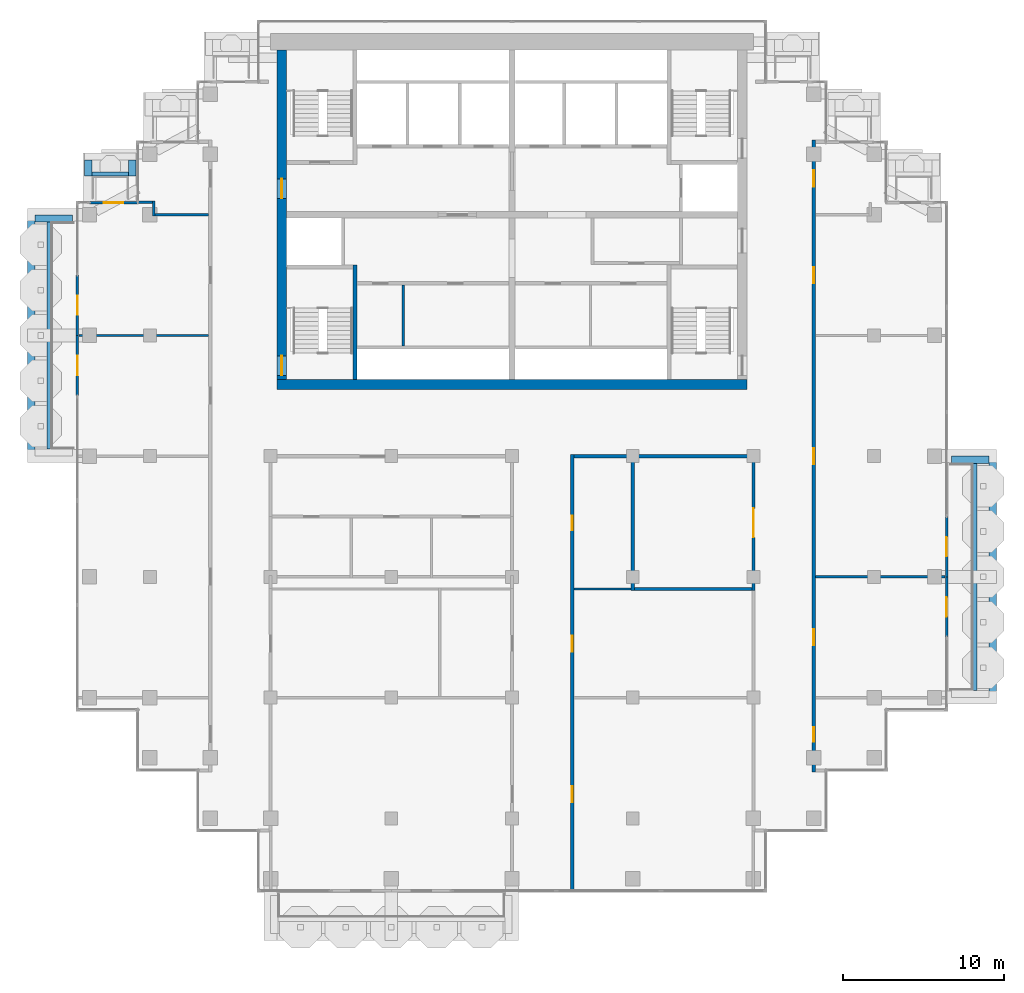
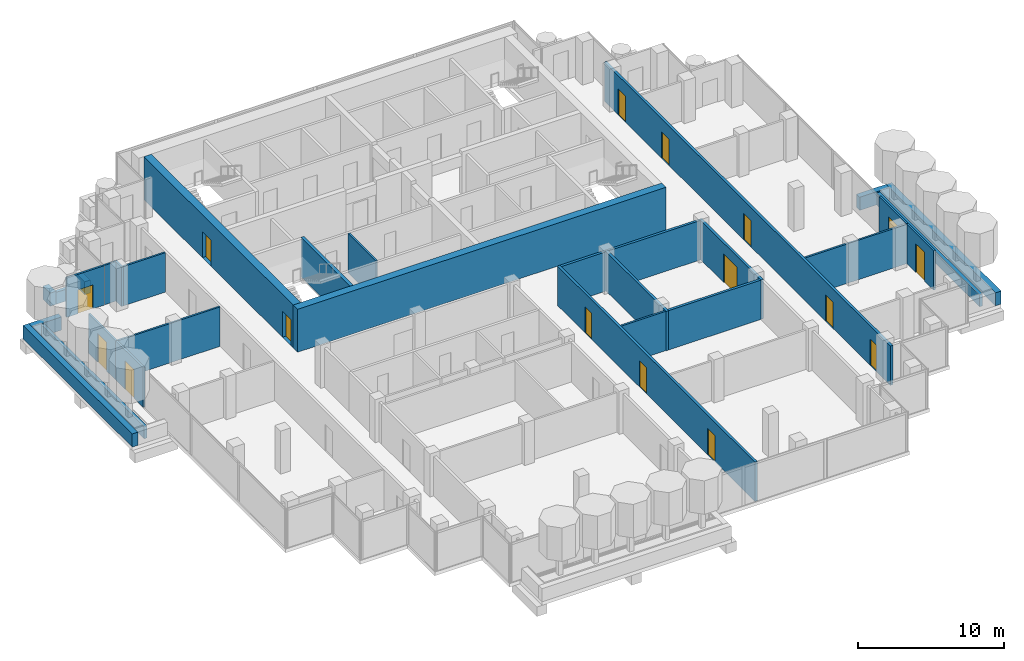
# One storey, part 12 of 18: 31 walls, 16 doors, 16 openings.
"""IFC4 building model written with IfcOpenShell, lengths in metres."""

from ifc_helpers import new_model, si_unit, direction, frame, frame_2d, origin, place, context, subcontext, project, spatial, rectangle, extrude, material, layer, layer_set, type_object, element, fill, save


model = new_model("IFC4")

# Units and contexts
model_context = context("Model", 3, precision=1e-05, world=origin(), true_north=direction((0.0, 1.0)))
body_context = subcontext(model_context, "Body", "Model", "MODEL_VIEW")
ifc_project = project(units=[si_unit("LENGTHUNIT", "METRE"), si_unit("AREAUNIT", "SQUARE_METRE"), si_unit("VOLUMEUNIT", "CUBIC_METRE"), si_unit("PLANEANGLEUNIT", "RADIAN"), si_unit("MASSUNIT", "GRAM", prefix="KILO")], contexts=[model_context])

# Site, building, storey
site_placement = place(None, origin())
site = spatial("IfcSite", under=ifc_project, at=site_placement, CompositionType="ELEMENT")
building_placement = place(site_placement, origin())
building = spatial("IfcBuilding", under=site, at=building_placement, Name="Pilkhan Gate Tower", CompositionType="ELEMENT")
storey_placement = place(building_placement, frame((0.0, 0.0, 235.5)))
storey = spatial("IfcBuildingStorey", under=building, at=storey_placement, Name="L61", CompositionType="ELEMENT", Elevation=235.5)

# Walls
ifc_material_1 = material(Name="Concrete C40/50", Category="concrete")
ifc_layer_1 = layer(ifc_material_1, 0.25)
ifc_layer_set_1 = layer_set([ifc_layer_1], Name="Balcony planter BP250")
wall_type_1 = type_object("IfcWallType", Name="Balcony planter BP250", PredefinedType="USERDEFINED", material=ifc_layer_set_1)
wall_1_placement = place(storey_placement, frame((103.77490234375, 52.949951171875, 0.0), z_axis=(0.0, 0.0, 1.0), x_axis=(0.0, 1.0, 0.0)))
element("IfcWall", 1, at=wall_1_placement, inside=storey, type_object=wall_type_1, Name="Balcony planter L61 E", ObjectType="BALCONY PLANTER", PredefinedType="USERDEFINED", context=body_context, shape_type="SweptSolid", body=[
    extrude(rectangle(XDim=14.10009765625, YDim=0.25, at=frame_2d((7.050048828125, 0.0))), origin(), (0.0, 0.0, 1.0), 1.0),
])
wall_2_placement = place(storey_placement, frame((48.89990234375, 85.02490234375, 0.0), z_axis=(0.0, 0.0, 1.0), x_axis=(1.0, 0.0, 0.0)))
element("IfcWall", 2, at=wall_2_placement, inside=storey, type_object=wall_type_1, Name="Balcony planter L61 N", ObjectType="BALCONY PLANTER", PredefinedType="USERDEFINED", context=body_context, shape_type="SweptSolid", body=[
    extrude(rectangle(XDim=2.280029296875, YDim=0.25, at=frame_2d((1.14013671875, 0.0))), origin(), (0.0, 0.0, 1.0), 1.0),
])
wall_3_placement = place(storey_placement, frame((46.22509765625, 67.949951171875, 0.0), z_axis=(0.0, 0.0, 1.0), x_axis=(0.0, 1.0, 0.0)))
element("IfcWall", 3, at=wall_3_placement, inside=storey, type_object=wall_type_1, Name="Balcony planter L61 W", ObjectType="BALCONY PLANTER", PredefinedType="USERDEFINED", context=body_context, shape_type="SweptSolid", body=[
    extrude(rectangle(XDim=14.10009765625, YDim=0.25, at=frame_2d((7.050048828125, 0.0))), origin(), (0.0, 0.0, 1.0), 1.0),
])
ifc_material_2 = material(Name="Board-marked Concrete C40/50", Category="concrete")
ifc_layer_2 = layer(ifc_material_2, 0.449951171875)
ifc_layer_set_2 = layer_set([ifc_layer_2], Name="Balcony planter lip BL450")
wall_type_2 = type_object("IfcWallType", Name="Balcony planter lip BL450", PredefinedType="USERDEFINED", material=ifc_layer_set_2)
wall_4_placement = place(storey_placement, frame((104.875, 52.5, 0.0), z_axis=(0.0, 0.0, 1.0), x_axis=(0.0, 1.0, 0.0)))
element("IfcWall", 4, at=wall_4_placement, inside=storey, type_object=wall_type_2, Name="Balcony planter L61 E", ObjectType="BALCONY PLANTER", PredefinedType="USERDEFINED", context=body_context, shape_type="SweptSolid", body=[
    extrude(rectangle(XDim=15.0, YDim=0.449951171875, at=frame_2d((7.5, 0.0))), origin(), (0.0, 0.0, 1.0), 1.10009765625),
])
wall_5_placement = place(storey_placement, frame((102.300048828125, 67.27490234375, 0.0), z_axis=(0.0, 0.0, 1.0), x_axis=(1.0, 0.0, 0.0)))
element("IfcWall", 5, at=wall_5_placement, inside=storey, type_object=wall_type_2, Name="Balcony planter L61 E", ObjectType="BALCONY PLANTER", PredefinedType="USERDEFINED", context=body_context, shape_type="SweptSolid", body=[
    extrude(rectangle(XDim=2.349853515625, YDim=0.449951171875, at=frame_2d((1.1748046875, 0.0))), origin(), (0.0, 0.0, 1.0), 1.10009765625),
])
for number, where, z_axis, x_axis, name in (
    (6, (48.675048828125, 84.89990234375, 0.0), (0.0, 0.0, 1.0), (0.0, 1.0, 0.0), "Balcony planter L61 N"),
    (7, (51.405029296875, 84.89990234375, 0.0), (0.0, 0.0, 1.0), (0.0, 1.0, 0.0), "Balcony planter L61 N"),
):
    element("IfcWall", number, at=place(storey_placement, frame(where, z_axis=z_axis, x_axis=x_axis)), inside=storey, type_object=wall_type_2, Name=name, ObjectType="BALCONY PLANTER", PredefinedType="USERDEFINED", context=body_context, shape_type="SweptSolid", body=[
        extrude(rectangle(XDim=1.0, YDim=0.449951171875, at=frame_2d((0.5, 0.0))), origin(), (0.0, 0.0, 1.0), 1.10009765625),
    ])
wall_6_placement = place(storey_placement, frame((45.125, 67.5, 0.0), z_axis=(0.0, 0.0, 1.0), x_axis=(0.0, 1.0, 0.0)))
element("IfcWall", 8, at=wall_6_placement, inside=storey, type_object=wall_type_2, Name="Balcony planter L61 W", ObjectType="BALCONY PLANTER", PredefinedType="USERDEFINED", context=body_context, shape_type="SweptSolid", body=[
    extrude(rectangle(XDim=15.0, YDim=0.449951171875, at=frame_2d((7.5, 0.0))), origin(), (0.0, 0.0, 1.0), 1.10009765625),
])
wall_7_placement = place(storey_placement, frame((47.699951171875, 82.27490234375, 0.0), z_axis=(0.0, 0.0, 1.0), x_axis=(-1.0, 0.0, 0.0)))
element("IfcWall", 9, at=wall_7_placement, inside=storey, type_object=wall_type_2, Name="Balcony planter L61 W", ObjectType="BALCONY PLANTER", PredefinedType="USERDEFINED", context=body_context, shape_type="SweptSolid", body=[
    extrude(rectangle(XDim=2.349853515625, YDim=0.449951171875, at=frame_2d((1.1748046875, 0.0))), origin(), (0.0, 0.0, 1.0), 1.10009765625),
])
ifc_material_3 = material(Name="Concrete C50/60", Category="concrete")
ifc_layer_3 = layer(ifc_material_3, 0.60009765625)
ifc_layer_set_3 = layer_set([ifc_layer_3], Name="Core wall CW600 C50/60")
wall_type_3 = type_object("IfcWallType", Name="Core wall CW600 C50/60", PredefinedType="SHEAR", material=ifc_layer_set_3)
wall_8_placement = place(storey_placement, frame((60.39990234375, 71.949951171875, 0.0), z_axis=(0.0, 0.0, 1.0), x_axis=(1.0, 0.0, 0.0)))
element("IfcWall", 10, at=wall_8_placement, inside=storey, type_object=wall_type_3, Name="Core wall S L61", PredefinedType="SHEAR", context=body_context, shape_type="SweptSolid", body=[
    extrude(rectangle(XDim=29.2001953125, YDim=0.60009765625, at=frame_2d((14.60009765625, 0.0))), origin(), (0.0, 0.0, 1.0), 3.60009765625),
])

# Wall, openings, doors
wall_9_placement = place(storey_placement, frame((60.699951171875, 92.75, 0.0), z_axis=(0.0, 0.0, 1.0), x_axis=(0.0, -1.0, 0.0)))
wall_9 = element("IfcWall", 11, at=wall_9_placement, inside=storey, type_object=wall_type_3, Name="Core wall W L61", PredefinedType="SHEAR", context=body_context, shape_type="SweptSolid", body=[
    extrude(rectangle(XDim=20.5, YDim=0.60009765625, at=frame_2d((10.25, 0.0))), origin(), (0.0, 0.0, 1.0), 3.60009765625),
])
opening_1_placement = place(wall_9_placement, frame((19.02490234375, 0.0, 0.0)))
opening_1 = element("IfcOpeningElement", 12, at=opening_1_placement, cuts=wall_9, Name="Opening L61-04", PredefinedType="OPENING", context=body_context, shape_type="SweptSolid", body=[
    extrude(rectangle(XDim=1.199951171875, YDim=2.199951171875, at=frame_2d((0.60009765625, 1.10009765625))), frame((0.0, 0.31005859375, 0.0), z_axis=(0.0, -1.0, 0.0), x_axis=(1.0, 0.0, 0.0)), (0.0, 0.0, 1.0), 0.6201171875),
])
opening_2_placement = place(wall_9_placement, frame((8.02490234375, 0.0, 0.0)))
opening_2 = element("IfcOpeningElement", 13, at=opening_2_placement, cuts=wall_9, Name="Opening L61-08", PredefinedType="OPENING", context=body_context, shape_type="SweptSolid", body=[
    extrude(rectangle(XDim=1.199951171875, YDim=2.199951171875, at=frame_2d((0.60009765625, 1.10009765625))), frame((0.0, 0.31005859375, 0.0), z_axis=(0.0, -1.0, 0.0), x_axis=(1.0, 0.0, 0.0)), (0.0, 0.0, 1.0), 0.6201171875),
])
ifc_material_4 = material(Name="Steel door, 120 minute fire resisting, self-closing", Category="steel")
door_type_1 = type_object("IfcDoorType", Name="Firefighting lobby door D10 1200x2200", OperationType="SINGLE_SWING_LEFT", PredefinedType="DOOR", material=ifc_material_4)
door_1_placement = place(opening_2_placement, origin())
door_1 = element("IfcDoor", 14, at=door_1_placement, inside=storey, type_object=door_type_1, Name="Core door", OperationType="SINGLE_SWING_LEFT", OverallHeight=2.199951171875, OverallWidth=1.199951171875, PredefinedType="DOOR", context=body_context, shape_type="SweptSolid", body=[
    extrude(rectangle(XDim=1.199951171875, YDim=2.199951171875, at=frame_2d((0.60009765625, 1.10009765625))), frame((0.0, 0.02490234375, 0.0), z_axis=(0.0, -1.0, 0.0), x_axis=(1.0, 0.0, 0.0)), (0.0, 0.0, 1.0), 0.050048828125),
])
fill(opening_2, door_1)
ifc_material_5 = material(Name="Steel door, 120 minute fire resisting, panic bar", Category="steel")
door_type_2 = type_object("IfcDoorType", Name="Stair door D11 1200x2200", OperationType="SINGLE_SWING_LEFT", PredefinedType="DOOR", material=ifc_material_5)
door_2_placement = place(opening_1_placement, origin())
door_2 = element("IfcDoor", 15, at=door_2_placement, inside=storey, type_object=door_type_2, Name="Stair ST2 door", OperationType="SINGLE_SWING_RIGHT", OverallHeight=2.199951171875, OverallWidth=1.199951171875, PredefinedType="DOOR", context=body_context, shape_type="SweptSolid", body=[
    extrude(rectangle(XDim=1.199951171875, YDim=2.199951171875, at=frame_2d((0.60009765625, 1.10009765625))), frame((0.0, 0.02490234375, 0.0), z_axis=(0.0, -1.0, 0.0), x_axis=(1.0, 0.0, 0.0)), (0.0, 0.0, 1.0), 0.050048828125),
])
fill(opening_1, door_2)

# Wall
ifc_material_6 = material(Name="Dense blockwork", Category="masonry")
ifc_layer_4 = layer(ifc_material_6, 0.199951171875)
ifc_layer_set_4 = layer_set([ifc_layer_4], Name="Corridor wall FW200")
wall_type_4 = type_object("IfcWallType", Name="Corridor wall FW200", PredefinedType="PARTITIONING", material=ifc_layer_set_4)
wall_10_placement = place(storey_placement, frame((78.85009765625, 67.5, 0.0), z_axis=(0.0, 0.0, 1.0), x_axis=(1.0, 0.0, 0.0)))
element("IfcWall", 16, at=wall_10_placement, inside=storey, type_object=wall_type_4, Name="Partition L61", PredefinedType="PARTITIONING", context=body_context, shape_type="SweptSolid", body=[
    extrude(rectangle(XDim=3.5498046875, YDim=0.199951171875, at=frame_2d((1.77490234375, 0.0))), origin(), (0.0, 0.0, 1.0), 3.300048828125),
])

# Wall, openings, doors
wall_11_placement = place(storey_placement, frame((78.75, 40.485107421875, 0.0), z_axis=(0.0, 0.0, 1.0), x_axis=(0.0, 1.0, 0.0)))
wall_11 = element("IfcWall", 17, at=wall_11_placement, inside=storey, type_object=wall_type_4, Name="Partition L61", PredefinedType="PARTITIONING", context=body_context, shape_type="SweptSolid", body=[
    extrude(rectangle(XDim=27.114990234375, YDim=0.199951171875, at=frame_2d((13.5576171875, 0.0))), origin(), (0.0, 0.0, 1.0), 3.300048828125),
])
opening_3_placement = place(wall_11_placement, frame((5.5, 0.0, 0.0)))
opening_3 = element("IfcOpeningElement", 18, at=opening_3_placement, cuts=wall_11, Name="Opening L61-20", PredefinedType="OPENING", context=body_context, shape_type="SweptSolid", body=[
    extrude(rectangle(XDim=1.0, YDim=2.199951171875, at=frame_2d((0.5, 1.10009765625))), frame((0.0, 0.10986328125, 0.0), z_axis=(0.0, -1.0, 0.0), x_axis=(1.0, 0.0, 0.0)), (0.0, 0.0, 1.0), 0.219970703125),
])
opening_4_placement = place(wall_11_placement, frame((14.864990234375, 0.0, 0.0)))
opening_4 = element("IfcOpeningElement", 19, at=opening_4_placement, cuts=wall_11, Name="Opening L61-21", PredefinedType="OPENING", context=body_context, shape_type="SweptSolid", body=[
    extrude(rectangle(XDim=1.0, YDim=2.199951171875, at=frame_2d((0.5, 1.10009765625))), frame((0.0, 0.10986328125, 0.0), z_axis=(0.0, -1.0, 0.0), x_axis=(1.0, 0.0, 0.0)), (0.0, 0.0, 1.0), 0.219970703125),
])
opening_5_placement = place(wall_11_placement, frame((22.4150390625, 0.0, 0.0)))
opening_5 = element("IfcOpeningElement", 20, at=opening_5_placement, cuts=wall_11, Name="Opening L61-22", PredefinedType="OPENING", context=body_context, shape_type="SweptSolid", body=[
    extrude(rectangle(XDim=0.89990234375, YDim=2.199951171875, at=frame_2d((0.449951171875, 1.10009765625))), frame((0.0, 0.10986328125, 0.0), z_axis=(0.0, -1.0, 0.0), x_axis=(1.0, 0.0, 0.0)), (0.0, 0.0, 1.0), 0.219970703125),
])
ifc_material_7 = material(Name="Timber flush door, 30 minute fire resisting", Category="wood")
door_type_3 = type_object("IfcDoorType", Name="Room door D03 1000x2200", OperationType="SINGLE_SWING_LEFT", PredefinedType="DOOR", material=ifc_material_7)
door_3_placement = place(opening_3_placement, origin())
door_3 = element("IfcDoor", 21, at=door_3_placement, inside=storey, type_object=door_type_3, Name="Room door", OperationType="SINGLE_SWING_LEFT", OverallHeight=2.199951171875, OverallWidth=1.0, PredefinedType="DOOR", context=body_context, shape_type="SweptSolid", body=[
    extrude(rectangle(XDim=1.0, YDim=2.199951171875, at=frame_2d((0.5, 1.10009765625))), frame((0.0, 0.02490234375, 0.0), z_axis=(0.0, -1.0, 0.0), x_axis=(1.0, 0.0, 0.0)), (0.0, 0.0, 1.0), 0.050048828125),
])
fill(opening_3, door_3)
door_4_placement = place(opening_4_placement, origin())
door_4 = element("IfcDoor", 22, at=door_4_placement, inside=storey, type_object=door_type_3, Name="Room door", OperationType="SINGLE_SWING_LEFT", OverallHeight=2.199951171875, OverallWidth=1.0, PredefinedType="DOOR", context=body_context, shape_type="SweptSolid", body=[
    extrude(rectangle(XDim=1.0, YDim=2.199951171875, at=frame_2d((0.5, 1.10009765625))), frame((0.0, 0.02490234375, 0.0), z_axis=(0.0, -1.0, 0.0), x_axis=(1.0, 0.0, 0.0)), (0.0, 0.0, 1.0), 0.050048828125),
])
fill(opening_4, door_4)
ifc_material_8 = material(Name="Timber flush door, 60 minute fire resisting, self-closing", Category="wood")
door_type_4 = type_object("IfcDoorType", Name="Store door D05 900x2200", OperationType="SINGLE_SWING_LEFT", PredefinedType="DOOR", material=ifc_material_8)
door_5_placement = place(opening_5_placement, origin())
door_5 = element("IfcDoor", 23, at=door_5_placement, inside=storey, type_object=door_type_4, Name="Store door", OperationType="SINGLE_SWING_RIGHT", OverallHeight=2.199951171875, OverallWidth=0.89990234375, PredefinedType="DOOR", context=body_context, shape_type="SweptSolid", body=[
    extrude(rectangle(XDim=0.89990234375, YDim=2.199951171875, at=frame_2d((0.449951171875, 1.10009765625))), frame((0.0, 0.02490234375, 0.0), z_axis=(0.0, -1.0, 0.0), x_axis=(1.0, 0.0, 0.0)), (0.0, 0.0, 1.0), 0.050048828125),
])
fill(opening_5, door_5)

wall_12_placement = place(storey_placement, frame((93.75, 47.8701171875, 0.0), z_axis=(0.0, 0.0, 1.0), x_axis=(0.0, 1.0, 0.0)))
wall_12 = element("IfcWall", 24, at=wall_12_placement, inside=storey, type_object=wall_type_4, Name="Partition L61", PredefinedType="PARTITIONING", context=body_context, shape_type="SweptSolid", body=[
    extrude(rectangle(XDim=39.259765625, YDim=0.199951171875, at=frame_2d((19.6298828125, 0.0))), origin(), (0.0, 0.0, 1.0), 3.300048828125),
])
opening_6_placement = place(wall_12_placement, frame((1.89990234375, 0.0, 0.0)))
opening_6 = element("IfcOpeningElement", 25, at=opening_6_placement, cuts=wall_12, Name="Opening L61-27", PredefinedType="OPENING", context=body_context, shape_type="SweptSolid", body=[
    extrude(rectangle(XDim=0.89990234375, YDim=2.199951171875, at=frame_2d((0.449951171875, 1.10009765625))), frame((0.0, 0.10986328125, 0.0), z_axis=(0.0, -1.0, 0.0), x_axis=(1.0, 0.0, 0.0)), (0.0, 0.0, 1.0), 0.219970703125),
])
opening_7_placement = place(wall_12_placement, frame((7.8798828125, 0.0, 0.0)))
opening_7 = element("IfcOpeningElement", 26, at=opening_7_placement, cuts=wall_12, Name="Opening L61-28", PredefinedType="OPENING", context=body_context, shape_type="SweptSolid", body=[
    extrude(rectangle(XDim=1.0, YDim=2.199951171875, at=frame_2d((0.5, 1.10009765625))), frame((0.0, 0.10986328125, 0.0), z_axis=(0.0, -1.0, 0.0), x_axis=(1.0, 0.0, 0.0)), (0.0, 0.0, 1.0), 0.219970703125),
])
opening_8_placement = place(wall_12_placement, frame((19.1298828125, 0.0, 0.0)))
opening_8 = element("IfcOpeningElement", 27, at=opening_8_placement, cuts=wall_12, Name="Opening L61-29", PredefinedType="OPENING", context=body_context, shape_type="SweptSolid", body=[
    extrude(rectangle(XDim=1.0, YDim=2.199951171875, at=frame_2d((0.5, 1.10009765625))), frame((0.0, 0.10986328125, 0.0), z_axis=(0.0, -1.0, 0.0), x_axis=(1.0, 0.0, 0.0)), (0.0, 0.0, 1.0), 0.219970703125),
])
opening_9_placement = place(wall_12_placement, frame((30.3798828125, 0.0, 0.0)))
opening_9 = element("IfcOpeningElement", 28, at=opening_9_placement, cuts=wall_12, Name="Opening L61-32", PredefinedType="OPENING", context=body_context, shape_type="SweptSolid", body=[
    extrude(rectangle(XDim=1.0, YDim=2.199951171875, at=frame_2d((0.5, 1.10009765625))), frame((0.0, 0.10986328125, 0.0), z_axis=(0.0, -1.0, 0.0), x_axis=(1.0, 0.0, 0.0)), (0.0, 0.0, 1.0), 0.219970703125),
])
opening_10_placement = place(wall_12_placement, frame((36.3798828125, 0.0, 0.0)))
opening_10 = element("IfcOpeningElement", 29, at=opening_10_placement, cuts=wall_12, Name="Opening L61-33", PredefinedType="OPENING", context=body_context, shape_type="SweptSolid", body=[
    extrude(rectangle(XDim=1.0, YDim=2.199951171875, at=frame_2d((0.5, 1.10009765625))), frame((0.0, 0.10986328125, 0.0), z_axis=(0.0, -1.0, 0.0), x_axis=(1.0, 0.0, 0.0)), (0.0, 0.0, 1.0), 0.219970703125),
])
door_6_placement = place(opening_7_placement, origin())
door_6 = element("IfcDoor", 30, at=door_6_placement, inside=storey, type_object=door_type_3, Name="Room door", OperationType="SINGLE_SWING_LEFT", OverallHeight=2.199951171875, OverallWidth=1.0, PredefinedType="DOOR", context=body_context, shape_type="SweptSolid", body=[
    extrude(rectangle(XDim=1.0, YDim=2.199951171875, at=frame_2d((0.5, 1.10009765625))), frame((0.0, 0.02490234375, 0.0), z_axis=(0.0, -1.0, 0.0), x_axis=(1.0, 0.0, 0.0)), (0.0, 0.0, 1.0), 0.050048828125),
])
fill(opening_7, door_6)
door_7_placement = place(opening_8_placement, origin())
door_7 = element("IfcDoor", 31, at=door_7_placement, inside=storey, type_object=door_type_3, Name="Room door", OperationType="SINGLE_SWING_LEFT", OverallHeight=2.199951171875, OverallWidth=1.0, PredefinedType="DOOR", context=body_context, shape_type="SweptSolid", body=[
    extrude(rectangle(XDim=1.0, YDim=2.199951171875, at=frame_2d((0.5, 1.10009765625))), frame((0.0, 0.02490234375, 0.0), z_axis=(0.0, -1.0, 0.0), x_axis=(1.0, 0.0, 0.0)), (0.0, 0.0, 1.0), 0.050048828125),
])
fill(opening_8, door_7)
door_8_placement = place(opening_9_placement, origin())
door_8 = element("IfcDoor", 32, at=door_8_placement, inside=storey, type_object=door_type_3, Name="Room door", OperationType="SINGLE_SWING_RIGHT", OverallHeight=2.199951171875, OverallWidth=1.0, PredefinedType="DOOR", context=body_context, shape_type="SweptSolid", body=[
    extrude(rectangle(XDim=1.0, YDim=2.199951171875, at=frame_2d((0.5, 1.10009765625))), frame((0.0, 0.02490234375, 0.0), z_axis=(0.0, -1.0, 0.0), x_axis=(1.0, 0.0, 0.0)), (0.0, 0.0, 1.0), 0.050048828125),
])
fill(opening_9, door_8)
door_9_placement = place(opening_10_placement, origin())
door_9 = element("IfcDoor", 33, at=door_9_placement, inside=storey, type_object=door_type_3, Name="Room door", OperationType="SINGLE_SWING_LEFT", OverallHeight=2.199951171875, OverallWidth=1.0, PredefinedType="DOOR", context=body_context, shape_type="SweptSolid", body=[
    extrude(rectangle(XDim=1.0, YDim=2.199951171875, at=frame_2d((0.5, 1.10009765625))), frame((0.0, 0.02490234375, 0.0), z_axis=(0.0, -1.0, 0.0), x_axis=(1.0, 0.0, 0.0)), (0.0, 0.0, 1.0), 0.050048828125),
])
fill(opening_10, door_9)
door_10_placement = place(opening_6_placement, origin())
door_10 = element("IfcDoor", 34, at=door_10_placement, inside=storey, type_object=door_type_4, Name="Store door", OperationType="SINGLE_SWING_LEFT", OverallHeight=2.199951171875, OverallWidth=0.89990234375, PredefinedType="DOOR", context=body_context, shape_type="SweptSolid", body=[
    extrude(rectangle(XDim=0.89990234375, YDim=2.199951171875, at=frame_2d((0.449951171875, 1.10009765625))), frame((0.0, 0.02490234375, 0.0), z_axis=(0.0, -1.0, 0.0), x_axis=(1.0, 0.0, 0.0)), (0.0, 0.0, 1.0), 0.050048828125),
])
fill(opening_6, door_10)

# Wall, opening, door
ifc_material_9 = material(Name="Pale anodised aluminium, clear laminated glazing", Category="aluminium")
ifc_layer_5 = layer(ifc_material_9, 0.14990234375)
ifc_layer_set_5 = layer_set([ifc_layer_5], Name="Facade infill wall IW150")
wall_type_5 = type_object("IfcWallType", Name="Facade infill wall IW150", PredefinedType="SOLIDWALL", material=ifc_layer_set_5)
wall_13_placement = place(storey_placement, frame((102.0, 56.25, 0.0), z_axis=(0.0, 0.0, 1.0), x_axis=(0.0, 1.0, 0.0)))
wall_13 = element("IfcWall", 35, at=wall_13_placement, inside=storey, type_object=wall_type_5, Name="Infill wall L61 E", PredefinedType="SOLIDWALL", context=body_context, shape_type="SweptSolid", body=[
    extrude(rectangle(XDim=3.75, YDim=0.14990234375, at=frame_2d((1.875, 0.0))), origin(), (0.0, 0.0, 1.0), 3.300048828125),
])
opening_11_placement = place(wall_13_placement, frame((1.27490234375, 0.0, 0.0)))
opening_11 = element("IfcOpeningElement", 36, at=opening_11_placement, cuts=wall_13, Name="Opening D1", PredefinedType="OPENING", context=body_context, shape_type="SweptSolid", body=[
    extrude(rectangle(XDim=1.199951171875, YDim=2.39990234375, at=frame_2d((0.60009765625, 1.199951171875))), frame((0.0, 0.0849609375, 0.0), z_axis=(0.0, -1.0, 0.0), x_axis=(1.0, 0.0, 0.0)), (0.0, 0.0, 1.0), 0.169921875),
])
ifc_material_10 = material(Name="Pale anodised aluminium, clear glazing", Category="aluminium")
door_type_5 = type_object("IfcDoorType", Name="Balcony door D1 1200x2400", OperationType="SINGLE_SWING_LEFT", PredefinedType="DOOR", material=ifc_material_10)
door_11_placement = place(opening_11_placement, origin())
door_11 = element("IfcDoor", 37, at=door_11_placement, inside=storey, type_object=door_type_5, Name="Balcony door L61", OperationType="SINGLE_SWING_LEFT", OverallHeight=2.39990234375, OverallWidth=1.199951171875, PredefinedType="DOOR", context=body_context, shape_type="SweptSolid", body=[
    extrude(rectangle(XDim=1.199951171875, YDim=2.39990234375, at=frame_2d((0.60009765625, 1.199951171875))), frame((0.0, 0.02490234375, 0.0), z_axis=(0.0, -1.0, 0.0), x_axis=(1.0, 0.0, 0.0)), (0.0, 0.0, 1.0), 0.050048828125),
])
fill(opening_11, door_11)

wall_14_placement = place(storey_placement, frame((102.0, 60.0, 0.0), z_axis=(0.0, 0.0, 1.0), x_axis=(0.0, 1.0, 0.0)))
wall_14 = element("IfcWall", 38, at=wall_14_placement, inside=storey, type_object=wall_type_5, Name="Infill wall L61 E", PredefinedType="SOLIDWALL", context=body_context, shape_type="SweptSolid", body=[
    extrude(rectangle(XDim=3.75, YDim=0.14990234375, at=frame_2d((1.875, 0.0))), origin(), (0.0, 0.0, 1.0), 3.300048828125),
])
opening_12_placement = place(wall_14_placement, frame((1.27490234375, 0.0, 0.0)))
opening_12 = element("IfcOpeningElement", 39, at=opening_12_placement, cuts=wall_14, Name="Opening D1", PredefinedType="OPENING", context=body_context, shape_type="SweptSolid", body=[
    extrude(rectangle(XDim=1.199951171875, YDim=2.39990234375, at=frame_2d((0.60009765625, 1.199951171875))), frame((0.0, 0.0849609375, 0.0), z_axis=(0.0, -1.0, 0.0), x_axis=(1.0, 0.0, 0.0)), (0.0, 0.0, 1.0), 0.169921875),
])
door_12_placement = place(opening_12_placement, origin())
door_12 = element("IfcDoor", 40, at=door_12_placement, inside=storey, type_object=door_type_5, Name="Balcony door L61", OperationType="SINGLE_SWING_LEFT", OverallHeight=2.39990234375, OverallWidth=1.199951171875, PredefinedType="DOOR", context=body_context, shape_type="SweptSolid", body=[
    extrude(rectangle(XDim=1.199951171875, YDim=2.39990234375, at=frame_2d((0.60009765625, 1.199951171875))), frame((0.0, 0.02490234375, 0.0), z_axis=(0.0, -1.0, 0.0), x_axis=(1.0, 0.0, 0.0)), (0.0, 0.0, 1.0), 0.050048828125),
])
fill(opening_12, door_12)

wall_15_placement = place(storey_placement, frame((48.75, 83.25, 0.0), z_axis=(0.0, 0.0, 1.0), x_axis=(1.0, 0.0, 0.0)))
wall_15 = element("IfcWall", 41, at=wall_15_placement, inside=storey, type_object=wall_type_5, Name="Infill wall L61 N", PredefinedType="SOLIDWALL", context=body_context, shape_type="SweptSolid", body=[
    extrude(rectangle(XDim=3.0, YDim=0.14990234375, at=frame_2d((1.5, 0.0))), origin(), (0.0, 0.0, 1.0), 3.300048828125),
])
opening_13_placement = place(wall_15_placement, frame((0.89990234375, 0.0, 0.0)))
opening_13 = element("IfcOpeningElement", 42, at=opening_13_placement, cuts=wall_15, Name="Opening D1L", PredefinedType="OPENING", context=body_context, shape_type="SweptSolid", body=[
    extrude(rectangle(XDim=1.199951171875, YDim=2.0, at=frame_2d((0.60009765625, 1.0))), frame((0.0, 0.0849609375, 0.0), z_axis=(0.0, -1.0, 0.0), x_axis=(1.0, 0.0, 0.0)), (0.0, 0.0, 1.0), 0.169921875),
])
door_type_6 = type_object("IfcDoorType", Name="Balcony door D1L 1200x2000", OperationType="SINGLE_SWING_LEFT", PredefinedType="DOOR", material=ifc_material_10)
door_13_placement = place(opening_13_placement, origin())
door_13 = element("IfcDoor", 43, at=door_13_placement, inside=storey, type_object=door_type_6, Name="Balcony door L61", OperationType="SINGLE_SWING_LEFT", OverallHeight=2.0, OverallWidth=1.199951171875, PredefinedType="DOOR", context=body_context, shape_type="SweptSolid", body=[
    extrude(rectangle(XDim=1.199951171875, YDim=2.0, at=frame_2d((0.60009765625, 1.0))), frame((0.0, 0.02490234375, 0.0), z_axis=(0.0, -1.0, 0.0), x_axis=(1.0, 0.0, 0.0)), (0.0, 0.0, 1.0), 0.050048828125),
])
fill(opening_13, door_13)

wall_16_placement = place(storey_placement, frame((48.0, 71.25, 0.0), z_axis=(0.0, 0.0, 1.0), x_axis=(0.0, 1.0, 0.0)))
wall_16 = element("IfcWall", 44, at=wall_16_placement, inside=storey, type_object=wall_type_5, Name="Infill wall L61 W", PredefinedType="SOLIDWALL", context=body_context, shape_type="SweptSolid", body=[
    extrude(rectangle(XDim=3.75, YDim=0.14990234375, at=frame_2d((1.875, 0.0))), origin(), (0.0, 0.0, 1.0), 3.300048828125),
])
opening_14_placement = place(wall_16_placement, frame((1.27490234375, 0.0, 0.0)))
opening_14 = element("IfcOpeningElement", 45, at=opening_14_placement, cuts=wall_16, Name="Opening D1", PredefinedType="OPENING", context=body_context, shape_type="SweptSolid", body=[
    extrude(rectangle(XDim=1.199951171875, YDim=2.39990234375, at=frame_2d((0.60009765625, 1.199951171875))), frame((0.0, 0.0849609375, 0.0), z_axis=(0.0, -1.0, 0.0), x_axis=(1.0, 0.0, 0.0)), (0.0, 0.0, 1.0), 0.169921875),
])
door_14_placement = place(opening_14_placement, origin())
door_14 = element("IfcDoor", 46, at=door_14_placement, inside=storey, type_object=door_type_5, Name="Balcony door L61", OperationType="SINGLE_SWING_LEFT", OverallHeight=2.39990234375, OverallWidth=1.199951171875, PredefinedType="DOOR", context=body_context, shape_type="SweptSolid", body=[
    extrude(rectangle(XDim=1.199951171875, YDim=2.39990234375, at=frame_2d((0.60009765625, 1.199951171875))), frame((0.0, 0.02490234375, 0.0), z_axis=(0.0, -1.0, 0.0), x_axis=(1.0, 0.0, 0.0)), (0.0, 0.0, 1.0), 0.050048828125),
])
fill(opening_14, door_14)

wall_17_placement = place(storey_placement, frame((48.0, 75.0, 0.0), z_axis=(0.0, 0.0, 1.0), x_axis=(0.0, 1.0, 0.0)))
wall_17 = element("IfcWall", 47, at=wall_17_placement, inside=storey, type_object=wall_type_5, Name="Infill wall L61 W", PredefinedType="SOLIDWALL", context=body_context, shape_type="SweptSolid", body=[
    extrude(rectangle(XDim=3.75, YDim=0.14990234375, at=frame_2d((1.875, 0.0))), origin(), (0.0, 0.0, 1.0), 3.300048828125),
])
opening_15_placement = place(wall_17_placement, frame((1.27490234375, 0.0, 0.0)))
opening_15 = element("IfcOpeningElement", 48, at=opening_15_placement, cuts=wall_17, Name="Opening D1", PredefinedType="OPENING", context=body_context, shape_type="SweptSolid", body=[
    extrude(rectangle(XDim=1.199951171875, YDim=2.39990234375, at=frame_2d((0.60009765625, 1.199951171875))), frame((0.0, 0.0849609375, 0.0), z_axis=(0.0, -1.0, 0.0), x_axis=(1.0, 0.0, 0.0)), (0.0, 0.0, 1.0), 0.169921875),
])
door_15_placement = place(opening_15_placement, origin())
door_15 = element("IfcDoor", 49, at=door_15_placement, inside=storey, type_object=door_type_5, Name="Balcony door L61", OperationType="SINGLE_SWING_LEFT", OverallHeight=2.39990234375, OverallWidth=1.199951171875, PredefinedType="DOOR", context=body_context, shape_type="SweptSolid", body=[
    extrude(rectangle(XDim=1.199951171875, YDim=2.39990234375, at=frame_2d((0.60009765625, 1.199951171875))), frame((0.0, 0.02490234375, 0.0), z_axis=(0.0, -1.0, 0.0), x_axis=(1.0, 0.0, 0.0)), (0.0, 0.0, 1.0), 0.050048828125),
])
fill(opening_15, door_15)

# Walls
ifc_layer_6 = layer(ifc_material_6, 0.199951171875)
ifc_layer_set_6 = layer_set([ifc_layer_6], Name="Lobby wall LW200")
wall_type_6 = type_object("IfcWallType", Name="Lobby wall LW200", PredefinedType="PARTITIONING", material=ifc_layer_set_6)
for number, where, z_axis, x_axis, name in (
    (50, (82.60009765625, 59.25, 0.0), (0.0, 0.0, 1.0), (1.0, 0.0, 0.0), "Partition L61"),
    (51, (82.60009765625, 67.5, 0.0), (0.0, 0.0, 1.0), (1.0, 0.0, 0.0), "Partition L61"),
):
    element("IfcWall", number, at=place(storey_placement, frame(where, z_axis=z_axis, x_axis=x_axis)), inside=storey, type_object=wall_type_6, Name=name, PredefinedType="PARTITIONING", context=body_context, shape_type="SweptSolid", body=[
        extrude(rectangle(XDim=7.2998046875, YDim=0.199951171875, at=frame_2d((3.64990234375, 0.0))), origin(), (0.0, 0.0, 1.0), 3.300048828125),
    ])
wall_18_placement = place(storey_placement, frame((82.5, 59.14990234375, 0.0), z_axis=(0.0, 0.0, 1.0), x_axis=(0.0, 1.0, 0.0)))
element("IfcWall", 52, at=wall_18_placement, inside=storey, type_object=wall_type_6, Name="Partition L61", PredefinedType="PARTITIONING", context=body_context, shape_type="SweptSolid", body=[
    extrude(rectangle(XDim=8.4501953125, YDim=0.199951171875, at=frame_2d((4.22509765625, 0.0))), origin(), (0.0, 0.0, 1.0), 3.300048828125),
])

# Wall, opening, door
wall_19_placement = place(storey_placement, frame((90.0, 59.14990234375, 0.0), z_axis=(0.0, 0.0, 1.0), x_axis=(0.0, 1.0, 0.0)))
wall_19 = element("IfcWall", 53, at=wall_19_placement, inside=storey, type_object=wall_type_6, Name="Partition L61", PredefinedType="PARTITIONING", context=body_context, shape_type="SweptSolid", body=[
    extrude(rectangle(XDim=8.4501953125, YDim=0.199951171875, at=frame_2d((4.22509765625, 0.0))), origin(), (0.0, 0.0, 1.0), 3.300048828125),
])
opening_16_placement = place(wall_19_placement, frame((3.300048828125, 0.0, 0.0)))
opening_16 = element("IfcOpeningElement", 54, at=opening_16_placement, cuts=wall_19, Name="Opening L61-23", PredefinedType="OPENING", context=body_context, shape_type="SweptSolid", body=[
    extrude(rectangle(XDim=1.800048828125, YDim=2.39990234375, at=frame_2d((0.89990234375, 1.199951171875))), frame((0.0, 0.10986328125, 0.0), z_axis=(0.0, -1.0, 0.0), x_axis=(1.0, 0.0, 0.0)), (0.0, 0.0, 1.0), 0.219970703125),
])
ifc_material_11 = material(Name="Steel door, 120 minute fire resisting", Category="steel")
door_type_7 = type_object("IfcDoorType", Name="Plant room door D08 1800x2400", OperationType="DOUBLE_DOOR_SINGLE_SWING", PredefinedType="DOOR", material=ifc_material_11)
door_16_placement = place(opening_16_placement, origin())
door_16 = element("IfcDoor", 55, at=door_16_placement, inside=storey, type_object=door_type_7, Name="Plant room door", OperationType="DOUBLE_DOOR_SINGLE_SWING", OverallHeight=2.39990234375, OverallWidth=1.800048828125, PredefinedType="DOOR", context=body_context, shape_type="SweptSolid", body=[
    extrude(rectangle(XDim=1.800048828125, YDim=2.39990234375, at=frame_2d((0.89990234375, 1.199951171875))), frame((0.0, 0.02490234375, 0.0), z_axis=(0.0, -1.0, 0.0), x_axis=(1.0, 0.0, 0.0)), (0.0, 0.0, 1.0), 0.050048828125),
])
fill(opening_16, door_16)

# Walls
ifc_material_12 = material(Name="Blockwork partition, plastered both sides", Category="masonry")
ifc_layer_7 = layer(ifc_material_12, 0.14990234375)
ifc_layer_set_7 = layer_set([ifc_layer_7], Name="Partition PW150")
wall_type_7 = type_object("IfcWallType", Name="Partition PW150", PredefinedType="PARTITIONING", material=ifc_layer_set_7)
wall_20_placement = place(storey_placement, frame((78.85009765625, 59.25, 0.0), z_axis=(0.0, 0.0, 1.0), x_axis=(1.0, 0.0, 0.0)))
element("IfcWall", 56, at=wall_20_placement, inside=storey, type_object=wall_type_7, Name="Partition L61", PredefinedType="PARTITIONING", context=body_context, shape_type="SweptSolid", body=[
    extrude(rectangle(XDim=3.5498046875, YDim=0.14990234375, at=frame_2d((1.77490234375, 0.0))), origin(), (0.0, 0.0, 1.0), 3.300048828125),
])
for number, where, z_axis, x_axis, name in (
    (57, (93.85009765625, 60.0, 0.0), (0.0, 0.0, 1.0), (1.0, 0.0, 0.0), "Partition L61"),
    (58, (48.0849609375, 75.0, 0.0), (0.0, 0.0, 1.0), (1.0, 0.0, 0.0), "Partition L61"),
):
    element("IfcWall", number, at=place(storey_placement, frame(where, z_axis=z_axis, x_axis=x_axis)), inside=storey, type_object=wall_type_7, Name=name, PredefinedType="PARTITIONING", context=body_context, shape_type="SweptSolid", body=[
        extrude(rectangle(XDim=8.06494140625, YDim=0.14990234375, at=frame_2d((4.032470703125, 0.0))), origin(), (0.0, 0.0, 1.0), 3.300048828125),
    ])
wall_21_placement = place(storey_placement, frame((52.81005859375, 82.5, 0.0), z_axis=(0.0, 0.0, 1.0), x_axis=(1.0, 0.0, 0.0)))
element("IfcWall", 59, at=wall_21_placement, inside=storey, type_object=wall_type_7, Name="Partition L61", PredefinedType="PARTITIONING", context=body_context, shape_type="SweptSolid", body=[
    extrude(rectangle(XDim=3.33984375, YDim=0.14990234375, at=frame_2d((1.669921875, 0.0))), origin(), (0.0, 0.0, 1.0), 3.300048828125),
])
wall_22_placement = place(storey_placement, frame((51.760009765625, 83.264892578125, 0.0), z_axis=(0.0, 0.0, 1.0), x_axis=(1.0, 0.0, 0.0)))
element("IfcWall", 60, at=wall_22_placement, inside=storey, type_object=wall_type_7, Name="Partition L61", PredefinedType="PARTITIONING", context=body_context, shape_type="SweptSolid", body=[
    extrude(rectangle(XDim=0.89990234375, YDim=0.14990234375, at=frame_2d((0.449951171875, 0.0))), origin(), (0.0, 0.0, 1.0), 3.300048828125),
])
wall_23_placement = place(storey_placement, frame((52.735107421875, 82.425048828125, 0.0), z_axis=(0.0, 0.0, 1.0), x_axis=(0.0, 1.0, 0.0)))
element("IfcWall", 61, at=wall_23_placement, inside=storey, type_object=wall_type_7, Name="Partition L61", PredefinedType="PARTITIONING", context=body_context, shape_type="SweptSolid", body=[
    extrude(rectangle(XDim=0.9150390625, YDim=0.14990234375, at=frame_2d((0.45751953125, 0.0))), origin(), (0.0, 0.0, 1.0), 3.300048828125),
])
wall_24_placement = place(storey_placement, frame((68.239990234375, 74.35009765625, 0.0), z_axis=(0.0, 0.0, 1.0), x_axis=(0.0, 1.0, 0.0)))
element("IfcWall", 62, at=wall_24_placement, inside=storey, type_object=wall_type_7, Name="Partition L61", PredefinedType="PARTITIONING", context=body_context, shape_type="SweptSolid", body=[
    extrude(rectangle(XDim=3.7998046875, YDim=0.14990234375, at=frame_2d((1.89990234375, 0.0))), origin(), (0.0, 0.0, 1.0), 3.300048828125),
])
ifc_material_13 = material(Name="Reinforced blockwork, 120 minute fire resisting", Category="masonry")
ifc_layer_8 = layer(ifc_material_13, 0.25)
ifc_layer_set_8 = layer_set([ifc_layer_8], Name="Stair enclosure wall SE250")
wall_type_8 = type_object("IfcWallType", Name="Stair enclosure wall SE250", PredefinedType="PARTITIONING", material=ifc_layer_set_8)
wall_25_placement = place(storey_placement, frame((65.25, 72.260009765625, 0.0), z_axis=(0.0, 0.0, 1.0), x_axis=(0.0, 1.0, 0.0)))
element("IfcWall", 63, at=wall_25_placement, inside=storey, type_object=wall_type_8, Name="Partition L61", PredefinedType="PARTITIONING", context=body_context, shape_type="SweptSolid", body=[
    extrude(rectangle(XDim=7.114990234375, YDim=0.25, at=frame_2d((3.5576171875, 0.0))), origin(), (0.0, 0.0, 1.0), 3.300048828125),
])

save(model, "model.ifc")
